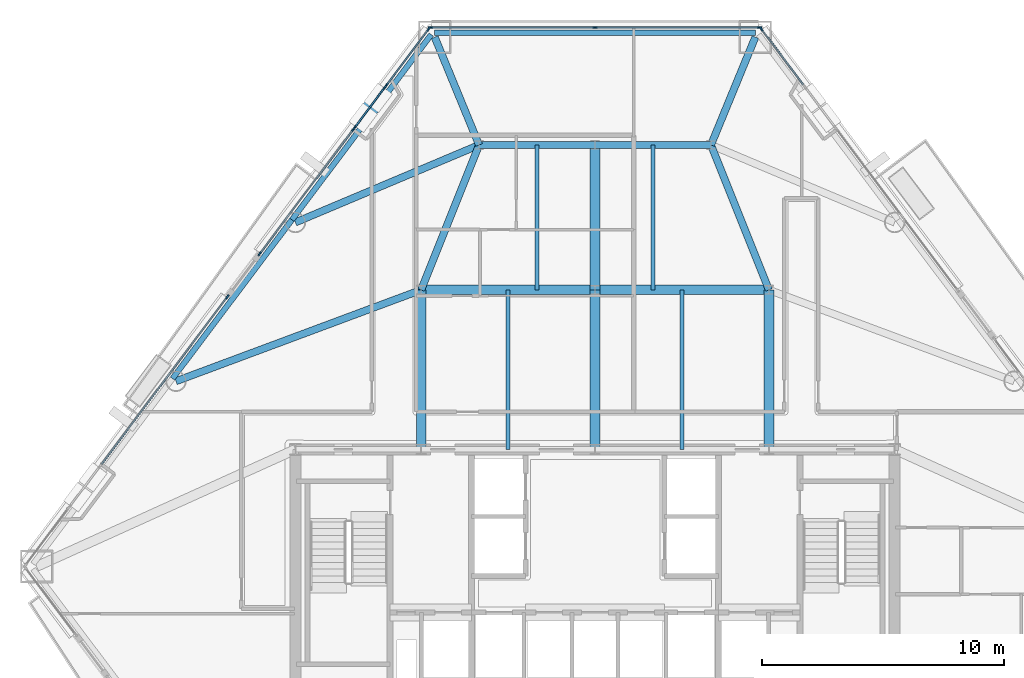
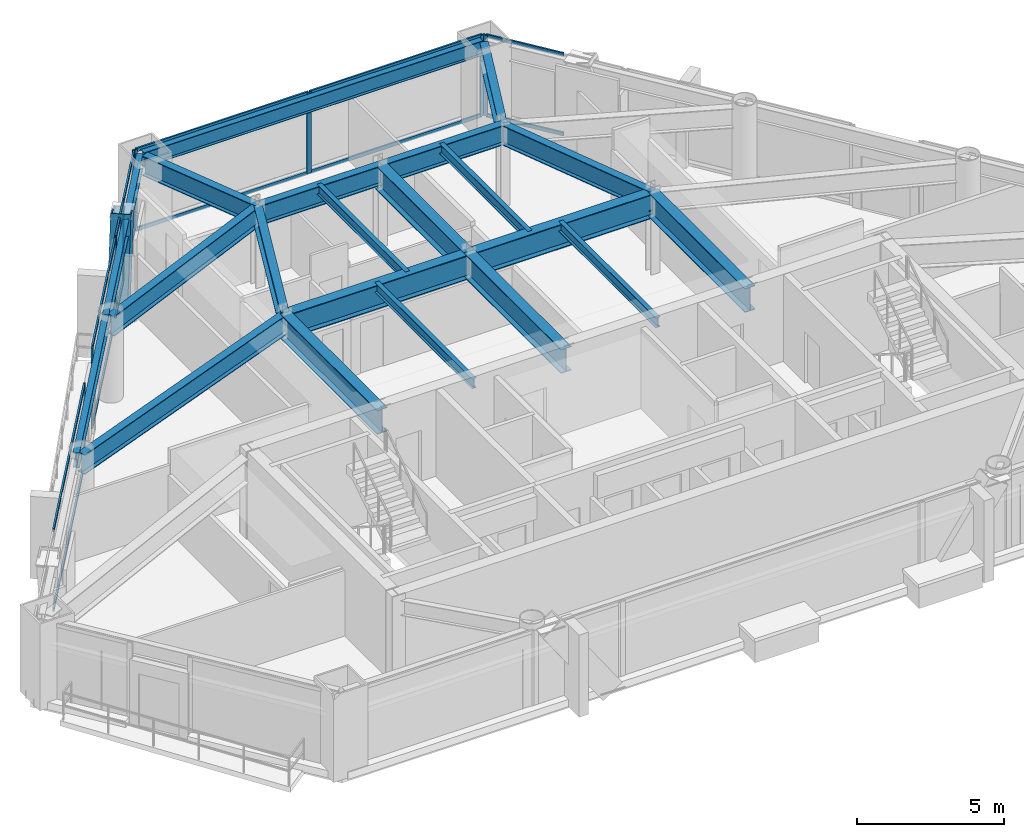
# One storey, part 3 of 10: 26 members, 21 beams, 6 elements without a shape of their own.
"""IFC4 building model written with IfcOpenShell, lengths in metres."""

from ifc_helpers import new_model, si_unit, direction, frame, origin, origin_2d, place, context, subcontext, project, spatial, rectangle, hollow_rectangle, i_section, extrude, material, layer, layer_set, material_profile, profile_set, type_object, element, aggregate, save


model = new_model("IFC4")

# Units and contexts
model_context = context("Model", 3, precision=1e-05, world=origin(), true_north=direction((0.0, 1.0)))
body_context = subcontext(model_context, "Body", "Model", "MODEL_VIEW")
ifc_project = project(units=[si_unit("LENGTHUNIT", "METRE"), si_unit("AREAUNIT", "SQUARE_METRE"), si_unit("VOLUMEUNIT", "CUBIC_METRE"), si_unit("PLANEANGLEUNIT", "RADIAN"), si_unit("MASSUNIT", "GRAM", prefix="KILO")], contexts=[model_context])

# Site, building, storey
site_placement = place(None, origin())
site = spatial("IfcSite", under=ifc_project, at=site_placement, CompositionType="ELEMENT")
building_placement = place(site_placement, origin())
building = spatial("IfcBuilding", under=site, at=building_placement, Name="Talgorran Terracotta Tower", CompositionType="ELEMENT")
storey_placement = place(building_placement, frame((0.0, 0.0, 82.800048828125)))
storey = spatial("IfcBuildingStorey", under=building, at=storey_placement, Name="L21", CompositionType="ELEMENT", Elevation=82.800048828125)

# Beams
ifc_material_1 = material(Name="Steel Grade 350 (350L0)", Category="steel")
ifc_material_profile_1 = material_profile(ifc_material_1, i_section(OverallWidth=0.39990234375, OverallDepth=1.0, WebThickness=0.01611328125, FlangeThickness=0.031005859375, at=origin_2d()), Name="1000WB296")
ifc_profile_set_1 = profile_set([ifc_material_profile_1], Name="Steel Grade 350 (350L0)")
beam_type_1 = type_object("IfcBeamType", Name="BM_1000WB296", PredefinedType="BEAM", material=ifc_profile_set_1)
for number, where, z_axis, x_axis, name in (
    (1, (-7.199951171875, -4.199951171875, 2.849853515625), (0.0, 1.0, 0.0), (-1.0, 0.0, 0.0), "L21 Floor Girder G01"),
    (2, (0.0, -4.199951171875, 2.849853515625), (0.0, 1.0, 0.0), (-1.0, 0.0, 0.0), "L21 Floor Girder G02"),
    (3, (7.199951171875, -4.199951171875, 2.849853515625), (0.0, 1.0, 0.0), (-1.0, 0.0, 0.0), "L21 Floor Girder G03"),
):
    element("IfcBeam", number, at=place(storey_placement, frame(where, z_axis=z_axis, x_axis=x_axis)), inside=storey, type_object=beam_type_1, Name=name, PredefinedType="BEAM", context=body_context, shape_type="SweptSolid", body=[
        extrude(i_section(OverallWidth=0.39990234375, OverallDepth=1.0, WebThickness=0.01611328125, FlangeThickness=0.031005859375, at=origin_2d()), origin(), (0.0, 0.0, 1.0), 6.599853515625),
    ])
for number, where, z_axis, x_axis, name in (
    (4, (-7.199951171875, 2.39990234375, 2.849853515625), (1.0, 0.0, 0.0), (0.0, 1.0, 0.0), "L21 Floor Girder G04"),
    (5, (0.0, 2.39990234375, 2.849853515625), (1.0, 0.0, 0.0), (0.0, 1.0, 0.0), "L21 Floor Girder G05"),
):
    element("IfcBeam", number, at=place(storey_placement, frame(where, z_axis=z_axis, x_axis=x_axis)), inside=storey, type_object=beam_type_1, Name=name, PredefinedType="BEAM", context=body_context, shape_type="SweptSolid", body=[
        extrude(i_section(OverallWidth=0.39990234375, OverallDepth=1.0, WebThickness=0.01611328125, FlangeThickness=0.031005859375, at=origin_2d()), origin(), (0.0, 0.0, 1.0), 7.199951171875),
    ])
beam_1_placement = place(storey_placement, frame((0.0, 2.39990234375, 2.849853515625), z_axis=(0.0, 1.0, 0.0), x_axis=(-1.0, 0.0, 0.0)))
element("IfcBeam", 6, at=beam_1_placement, inside=storey, type_object=beam_type_1, Name="L21 Floor Girder G09", PredefinedType="BEAM", context=body_context, shape_type="SweptSolid", body=[
    extrude(i_section(OverallWidth=0.39990234375, OverallDepth=1.0, WebThickness=0.01611328125, FlangeThickness=0.031005859375, at=origin_2d()), origin(), (0.0, 0.0, 1.0), 6.0),
])
ifc_material_2 = material(Name="Steel S355 (300PLUS)", Category="steel")
ifc_material_profile_2 = material_profile(ifc_material_2, i_section(OverallWidth=0.300048828125, OverallDepth=0.81591796875, WebThickness=0.013916015625, FlangeThickness=0.028076171875, at=origin_2d()), Name="800WB192")
ifc_profile_set_2 = profile_set([ifc_material_profile_2], Name="Steel S355 (300PLUS)")
beam_type_2 = type_object("IfcBeamType", Name="BM_800WB192", PredefinedType="BEAM", material=ifc_profile_set_2)
beam_2_placement = place(storey_placement, frame((-7.199951171875, 2.39990234375, 2.94189453125), z_axis=(-0.93710770278, -0.34904033204, 0.0), x_axis=(0.34904033204, -0.93710770278, 0.0)))
element("IfcBeam", 7, at=beam_2_placement, inside=storey, type_object=beam_type_2, Name="L21 Floor Girder G06", PredefinedType="BEAM", context=body_context, shape_type="SweptSolid", body=[
    extrude(i_section(OverallWidth=0.300048828125, OverallDepth=0.81591796875, WebThickness=0.013916015625, FlangeThickness=0.028076171875, at=origin_2d()), origin(), (0.0, 0.0, 1.0), 10.831787109375),
])
for number, where, z_axis, x_axis, name in (
    (8, (-7.199951171875, 2.39990234375, 2.94189453125), (0.371377648723, 0.928481901832, 0.0), (-0.928481901832, 0.371377648723, 0.0), "L21 Floor Girder G08"),
    (9, (7.199951171875, 2.39990234375, 2.94189453125), (-0.371377648723, 0.928481901832, 0.0), (-0.928481901832, -0.371377648723, 0.0), "L21 Floor Girder G10"),
):
    element("IfcBeam", number, at=place(storey_placement, frame(where, z_axis=z_axis, x_axis=x_axis)), inside=storey, type_object=beam_type_2, Name=name, PredefinedType="BEAM", context=body_context, shape_type="SweptSolid", body=[
        extrude(i_section(OverallWidth=0.300048828125, OverallDepth=0.81591796875, WebThickness=0.013916015625, FlangeThickness=0.028076171875, at=origin_2d()), origin(), (0.0, 0.0, 1.0), 6.462158203125),
    ])
for number, where, z_axis, x_axis, name in (
    (10, (-4.800048828125, 8.39990234375, 2.94189453125), (1.0, 0.0, 0.0), (0.0, 1.0, 0.0), "L21 Floor Girder G11"),
    (11, (0.0, 8.39990234375, 2.94189453125), (1.0, 0.0, 0.0), (0.0, 1.0, 0.0), "L21 Floor Girder G12"),
):
    element("IfcBeam", number, at=place(storey_placement, frame(where, z_axis=z_axis, x_axis=x_axis)), inside=storey, type_object=beam_type_2, Name=name, PredefinedType="BEAM", context=body_context, shape_type="SweptSolid", body=[
        extrude(i_section(OverallWidth=0.300048828125, OverallDepth=0.81591796875, WebThickness=0.013916015625, FlangeThickness=0.028076171875, at=origin_2d()), origin(), (0.0, 0.0, 1.0), 4.800048828125),
    ])
beam_3_placement = place(storey_placement, frame((-4.800048828125, 8.39990234375, 2.94189453125), z_axis=(-0.921492221575, -0.388396814582, 0.0), x_axis=(0.388396814582, -0.921492221575, 0.0)))
element("IfcBeam", 12, at=beam_3_placement, inside=storey, type_object=beam_type_2, Name="L21 Floor Girder G13", PredefinedType="BEAM", context=body_context, shape_type="SweptSolid", body=[
    extrude(i_section(OverallWidth=0.300048828125, OverallDepth=0.81591796875, WebThickness=0.013916015625, FlangeThickness=0.028076171875, at=origin_2d()), origin(), (0.0, 0.0, 1.0), 8.25390625),
])
for number, where, z_axis, x_axis, name in (
    (13, (-4.800048828125, 8.39990234375, 2.94189453125), (-0.380457312245, 0.924798482676, 0.0), (-0.924798482676, -0.380457312245, 0.0), "L21 Floor Girder G15"),
    (14, (4.800048828125, 8.39990234375, 2.94189453125), (0.380457312245, 0.924798482676, 0.0), (-0.924798482676, 0.380457312245, 0.0), "L21 Floor Girder G16"),
):
    element("IfcBeam", number, at=place(storey_placement, frame(where, z_axis=z_axis, x_axis=x_axis)), inside=storey, type_object=beam_type_2, Name=name, PredefinedType="BEAM", context=body_context, shape_type="SweptSolid", body=[
        extrude(i_section(OverallWidth=0.300048828125, OverallDepth=0.81591796875, WebThickness=0.013916015625, FlangeThickness=0.028076171875, at=origin_2d()), origin(), (0.0, 0.0, 1.0), 4.828125),
    ])
ifc_material_profile_3 = material_profile(ifc_material_2, i_section(OverallWidth=0.177734375, OverallDepth=0.406494140625, WebThickness=0.0078125, FlangeThickness=0.0126953125, at=origin_2d()), Name="410UB59.7")
ifc_profile_set_3 = profile_set([ifc_material_profile_3], Name="Steel S355 (300PLUS)")
beam_type_3 = type_object("IfcBeamType", Name="BM_JS_410UB60", PredefinedType="JOIST", material=ifc_profile_set_3)
for number, where, z_axis, x_axis, name in (
    (15, (-3.60009765625, -4.199951171875, 3.146728515625), (0.0, 1.0, 0.0), (-1.0, 0.0, 0.0), "L21 Secondary Joist J01"),
    (16, (3.60009765625, -4.199951171875, 3.146728515625), (0.0, 1.0, 0.0), (-1.0, 0.0, 0.0), "L21 Secondary Joist J02"),
):
    element("IfcBeam", number, at=place(storey_placement, frame(where, z_axis=z_axis, x_axis=x_axis)), inside=storey, type_object=beam_type_3, Name=name, PredefinedType="JOIST", context=body_context, shape_type="SweptSolid", body=[
        extrude(i_section(OverallWidth=0.177734375, OverallDepth=0.406494140625, WebThickness=0.0078125, FlangeThickness=0.0126953125, at=origin_2d()), origin(), (0.0, 0.0, 1.0), 6.599853515625),
    ])
for number, where, z_axis, x_axis, name in (
    (17, (-2.39990234375, 2.39990234375, 3.146728515625), (0.0, 1.0, 0.0), (-1.0, 0.0, 0.0), "L21 Secondary Joist J03"),
    (18, (2.39990234375, 2.39990234375, 3.146728515625), (0.0, 1.0, 0.0), (-1.0, 0.0, 0.0), "L21 Secondary Joist J04"),
):
    element("IfcBeam", number, at=place(storey_placement, frame(where, z_axis=z_axis, x_axis=x_axis)), inside=storey, type_object=beam_type_3, Name=name, PredefinedType="JOIST", context=body_context, shape_type="SweptSolid", body=[
        extrude(i_section(OverallWidth=0.177734375, OverallDepth=0.406494140625, WebThickness=0.0078125, FlangeThickness=0.0126953125, at=origin_2d()), origin(), (0.0, 0.0, 1.0), 6.0),
    ])
ifc_material_profile_4 = material_profile(ifc_material_2, i_section(OverallWidth=0.22900390625, OverallDepth=0.611572265625, WebThickness=0.011962890625, FlangeThickness=0.01953125, at=origin_2d()), Name="610UB125")
ifc_profile_set_4 = profile_set([ifc_material_profile_4], Name="Steel S355 (300PLUS)")
beam_type_4 = type_object("IfcBeamType", Name="BM_SP_610UB125", PredefinedType="SPANDREL", material=ifc_profile_set_4)
beam_4_placement = place(storey_placement, frame((6.636962890625, 13.045166015625, 3.044189453125), z_axis=(-1.0, 0.0, 0.0), x_axis=(0.0, -1.0, 0.0)))
element("IfcBeam", 19, at=beam_4_placement, inside=storey, type_object=beam_type_4, Name="L21 Perimeter Spandrel Beam MC5-MC6", PredefinedType="SPANDREL", context=body_context, shape_type="SweptSolid", body=[
    extrude(i_section(OverallWidth=0.22900390625, OverallDepth=0.611572265625, WebThickness=0.011962890625, FlangeThickness=0.01953125, at=origin_2d()), origin(), (0.0, 0.0, 1.0), 13.27392578125),
])
beam_5_placement = place(storey_placement, frame((-6.781005859375, 12.973388671875, 3.044189453125), z_axis=(-0.601041374216, -0.799217909259, 0.0), x_axis=(0.799217909259, -0.601041374216, 0.0)))
element("IfcBeam", 20, at=beam_5_placement, inside=storey, type_object=beam_type_4, Name="L21 Perimeter Spandrel Beam MC6-FC5", PredefinedType="SPANDREL", context=body_context, shape_type="SweptSolid", body=[
    extrude(i_section(OverallWidth=0.22900390625, OverallDepth=0.611572265625, WebThickness=0.011962890625, FlangeThickness=0.01953125, at=origin_2d()), origin(), (0.0, 0.0, 1.0), 9.597900390625),
])
beam_6_placement = place(storey_placement, frame((-12.5498046875, 5.302490234375, 3.044189453125), z_axis=(-0.601025104516, -0.799230144415, 0.0), x_axis=(0.799230144415, -0.601025104516, 0.0)))
element("IfcBeam", 21, at=beam_6_placement, inside=storey, type_object=beam_type_4, Name="L21 Perimeter Spandrel Beam FC5-FC6", PredefinedType="SPANDREL", context=body_context, shape_type="SweptSolid", body=[
    extrude(i_section(OverallWidth=0.22900390625, OverallDepth=0.611572265625, WebThickness=0.011962890625, FlangeThickness=0.01953125, at=origin_2d()), origin(), (0.0, 0.0, 1.0), 8.226806640625),
])

# Member
ifc_material_profile_5 = material_profile(ifc_material_1, hollow_rectangle(XDim=0.699951171875, YDim=0.89990234375, WallThickness=0.050048828125, at=origin_2d()), Name="WBOX900X700X50")
ifc_profile_set_5 = profile_set([ifc_material_profile_5], Name="Steel Grade 350 (350L0)")
member_type_1 = type_object("IfcMemberType", Name="MB_MEGA_900", PredefinedType="BRACE", material=ifc_profile_set_5)
member_1_placement = place(storey_placement, frame((-9.59765625, 9.527099609375, -0.025146484375), z_axis=(0.174459396222, 0.231971217663, 0.956949984715), x_axis=(-0.79920388083, 0.601060027674, 0.0)))
element("IfcMember", 22, at=member_1_placement, inside=storey, type_object=member_type_1, Name="L21 Exterior Face Mega-Brace MB-1 (NWU)", PredefinedType="BRACE", context=body_context, shape_type="SweptSolid", body=[
    extrude(hollow_rectangle(XDim=0.699951171875, YDim=0.89990234375, WallThickness=0.050048828125, at=origin_2d()), origin(), (0.0, 0.0, 1.0), 3.55322265625),
])

# Curtain wall, member
ifc_material_3 = material(Name="Unitised Low-E Double Glazing", Category="glass")
ifc_layer = layer(ifc_material_3, 0.199951171875, Name="CW_SYS2_RES_LOW")
ifc_layer_set = layer_set([ifc_layer], Name="Unitised Low-E Double Glazing")
curtain_wall_type = type_object("IfcCurtainWallType", Name="CW_SYS2_RES_LOW", PredefinedType="NOTDEFINED", material=ifc_layer_set)
curtain_wall_1_placement = place(storey_placement, origin())
curtain_wall_1 = element("IfcCurtainWall", 23, at=curtain_wall_1_placement, inside=storey, type_object=curtain_wall_type, Name="CW-L21-F41C", PredefinedType="NOTDEFINED")
ifc_material_4 = material(Name="Architectural Aluminium 6063-T6", Category="aluminium")
ifc_material_profile_6 = material_profile(ifc_material_4, rectangle(XDim=0.06494140625, YDim=0.18505859375, at=origin_2d()), Name="CWM65X185")
ifc_profile_set_6 = profile_set([ifc_material_profile_6], Name="Architectural Aluminium 6063-T6")
member_type_2 = type_object("IfcMemberType", Name="MUL_65X185", PredefinedType="MULLION", material=ifc_profile_set_6)
member_2_placement = place(storey_placement, frame((6.880126953125, 13.20703125, 0.0), z_axis=(0.0, 0.0, 1.0), x_axis=(-0.799212675264, -0.601048333912, 0.0)))
member_2 = element("IfcMember", 24, at=member_2_placement, type_object=member_type_2, Name="CW-L21-41C mullion 2", PredefinedType="MULLION", context=body_context, shape_type="SweptSolid", body=[
    extrude(rectangle(XDim=0.06494140625, YDim=0.18505859375, at=origin_2d()), origin(), (0.0, 0.0, 1.0), 3.349853515625),
])

# Curtain wall, members
curtain_wall_2_placement = place(storey_placement, origin())
curtain_wall_2 = element("IfcCurtainWall", 25, at=curtain_wall_2_placement, inside=storey, type_object=curtain_wall_type, Name="CW-L21-F4", PredefinedType="NOTDEFINED")
member_3_placement = place(storey_placement, frame((6.80419921875, 13.26513671875, 0.0), z_axis=(0.0, 0.0, 1.0), x_axis=(0.0, -1.0, 0.0)))
member_3 = element("IfcMember", 26, at=member_3_placement, type_object=member_type_2, Name="CW-L21-4 mullion 1", PredefinedType="MULLION", context=body_context, shape_type="SweptSolid", body=[
    extrude(rectangle(XDim=0.06494140625, YDim=0.18505859375, at=origin_2d()), origin(), (0.0, 0.0, 1.0), 3.349853515625),
])
member_4_placement = place(storey_placement, frame((0.0, 13.26513671875, 0.0), z_axis=(0.0, 0.0, 1.0), x_axis=(0.0, -1.0, 0.0)))
member_4 = element("IfcMember", 27, at=member_4_placement, type_object=member_type_2, Name="CW-L21-4 mullion 2", PredefinedType="MULLION", context=body_context, shape_type="SweptSolid", body=[
    extrude(rectangle(XDim=0.06494140625, YDim=0.18505859375, at=origin_2d()), origin(), (0.0, 0.0, 1.0), 3.349853515625),
])
member_5_placement = place(storey_placement, frame((-6.80419921875, 13.26513671875, 0.0), z_axis=(0.0, 0.0, 1.0), x_axis=(0.0, -1.0, 0.0)))
member_5 = element("IfcMember", 28, at=member_5_placement, type_object=member_type_2, Name="CW-L21-4 mullion 3", PredefinedType="MULLION", context=body_context, shape_type="SweptSolid", body=[
    extrude(rectangle(XDim=0.06494140625, YDim=0.18505859375, at=origin_2d()), origin(), (0.0, 0.0, 1.0), 3.349853515625),
])

curtain_wall_3_placement = place(storey_placement, origin())
curtain_wall_3 = element("IfcCurtainWall", 29, at=curtain_wall_3_placement, inside=storey, type_object=curtain_wall_type, Name="CW-L21-F60", PredefinedType="NOTDEFINED")
member_6_placement = place(storey_placement, frame((-6.880126953125, 13.20703125, 0.0), z_axis=(0.0, 0.0, 1.0), x_axis=(0.799212675264, -0.601048333912, 0.0)))
member_6 = element("IfcMember", 30, at=member_6_placement, type_object=member_type_2, Name="CW-L21-60 mullion 1", PredefinedType="MULLION", context=body_context, shape_type="SweptSolid", body=[
    extrude(rectangle(XDim=0.06494140625, YDim=0.18505859375, at=origin_2d()), origin(), (0.0, 0.0, 1.0), 3.349853515625),
])
member_7_placement = place(storey_placement, frame((-8.63818359375, 10.869384765625, 0.0), z_axis=(0.0, 0.0, 1.0), x_axis=(0.799212675264, -0.601048333912, 0.0)))
member_7 = element("IfcMember", 31, at=member_7_placement, type_object=member_type_2, Name="CW-L21-60 mullion 2", PredefinedType="MULLION", context=body_context, shape_type="SweptSolid", body=[
    extrude(rectangle(XDim=0.06494140625, YDim=0.18505859375, at=origin_2d()), origin(), (0.0, 0.0, 1.0), 3.349853515625),
])

curtain_wall_4_placement = place(storey_placement, origin())
curtain_wall_4 = element("IfcCurtainWall", 32, at=curtain_wall_4_placement, inside=storey, type_object=curtain_wall_type, Name="CW-L21-F60B", PredefinedType="NOTDEFINED")
member_8_placement = place(storey_placement, frame((-8.683349609375, 10.8095703125, 0.0), z_axis=(0.0, 0.0, 1.0), x_axis=(0.799191057138, -0.601077078411, 0.0)))
member_8 = element("IfcMember", 33, at=member_8_placement, type_object=member_type_2, Name="CW-L21-60B mullion 1", PredefinedType="MULLION", context=body_context, shape_type="SweptSolid", body=[
    extrude(rectangle(XDim=0.06494140625, YDim=0.18505859375, at=origin_2d()), origin(), (0.0, 0.0, 1.0), 3.349853515625),
])
member_9_placement = place(storey_placement, frame((-9.9560546875, 9.1171875, 0.0), z_axis=(0.0, 0.0, 1.0), x_axis=(0.799191057138, -0.601077078411, 0.0)))
member_9 = element("IfcMember", 34, at=member_9_placement, type_object=member_type_2, Name="CW-L21-60B mullion 2", PredefinedType="MULLION", context=body_context, shape_type="SweptSolid", body=[
    extrude(rectangle(XDim=0.06494140625, YDim=0.18505859375, at=origin_2d()), origin(), (0.0, 0.0, 1.0), 3.349853515625),
])

curtain_wall_5_placement = place(storey_placement, origin())
curtain_wall_5 = element("IfcCurtainWall", 35, at=curtain_wall_5_placement, inside=storey, type_object=curtain_wall_type, Name="CW-L21-F60C", PredefinedType="NOTDEFINED")
member_10_placement = place(storey_placement, frame((-10.001220703125, 9.05712890625, 0.0), z_axis=(0.0, 0.0, 1.0), x_axis=(0.799214061876, -0.601046490132, 0.0)))
member_10 = element("IfcMember", 36, at=member_10_placement, type_object=member_type_2, Name="CW-L21-60C mullion 1", PredefinedType="MULLION", context=body_context, shape_type="SweptSolid", body=[
    extrude(rectangle(XDim=0.06494140625, YDim=0.18505859375, at=origin_2d()), origin(), (0.0, 0.0, 1.0), 3.349853515625),
])
member_11_placement = place(storey_placement, frame((-13.88427734375, 3.89404296875, 0.0), z_axis=(0.0, 0.0, 1.0), x_axis=(0.799214061876, -0.601046490132, 0.0)))
member_11 = element("IfcMember", 37, at=member_11_placement, type_object=member_type_2, Name="CW-L21-60C mullion 2", PredefinedType="MULLION", context=body_context, shape_type="SweptSolid", body=[
    extrude(rectangle(XDim=0.06494140625, YDim=0.18505859375, at=origin_2d()), origin(), (0.0, 0.0, 1.0), 3.349853515625),
])

# Curtain wall, member
curtain_wall_6_placement = place(storey_placement, origin())
curtain_wall_6 = element("IfcCurtainWall", 38, at=curtain_wall_6_placement, inside=storey, type_object=curtain_wall_type, Name="CW-L21-F61", PredefinedType="NOTDEFINED")
member_12_placement = place(storey_placement, frame((-15.221435546875, 2.11572265625, 0.0), z_axis=(0.0, 0.0, 1.0), x_axis=(0.799217391959, -0.601042062081, 0.0)))
member_12 = element("IfcMember", 39, at=member_12_placement, type_object=member_type_2, Name="CW-L21-61 mullion 1", PredefinedType="MULLION", context=body_context, shape_type="SweptSolid", body=[
    extrude(rectangle(XDim=0.06494140625, YDim=0.18505859375, at=origin_2d()), origin(), (0.0, 0.0, 1.0), 3.349853515625),
])

# Member
ifc_material_profile_7 = material_profile(ifc_material_4, rectangle(XDim=0.06494140625, YDim=0.14990234375, at=origin_2d()), Name="CWT65X150")
ifc_profile_set_7 = profile_set([ifc_material_profile_7], Name="Architectural Aluminium 6063-T6")
member_type_3 = type_object("IfcMemberType", Name="TRN_65X150", PredefinedType="USERDEFINED", material=ifc_profile_set_7)
member_13_placement = place(storey_placement, frame((8.61865234375, 10.8955078125, 0.032470703125), z_axis=(-0.601064840664, 0.799200261085, 0.0), x_axis=(-0.799200261085, -0.601064840664, 0.0)))
member_13 = element("IfcMember", 40, at=member_13_placement, type_object=member_type_3, Name="CW-L21-41C transom 1.1", ObjectType="TRANSOM", PredefinedType="USERDEFINED", context=body_context, shape_type="SweptSolid", body=[
    extrude(rectangle(XDim=0.06494140625, YDim=0.14990234375, at=origin_2d()), origin(), (0.0, 0.0, 1.0), 2.85986328125),
])

member_14_placement = place(storey_placement, frame((8.61865234375, 10.8955078125, 3.3173828125), z_axis=(-0.601064840664, 0.799200261085, 0.0), x_axis=(-0.799200261085, -0.601064840664, 0.0)))
member_14 = element("IfcMember", 41, at=member_14_placement, type_object=member_type_3, Name="CW-L21-41C transom 1.2", ObjectType="TRANSOM", PredefinedType="USERDEFINED", context=body_context, shape_type="SweptSolid", body=[
    extrude(rectangle(XDim=0.06494140625, YDim=0.14990234375, at=origin_2d()), origin(), (0.0, 0.0, 1.0), 2.85986328125),
])

aggregate(curtain_wall_1, [member_2, member_13, member_14])

member_15_placement = place(storey_placement, frame((6.771728515625, 13.26513671875, 0.032470703125), z_axis=(-1.0, 0.0, 0.0), x_axis=(0.0, -1.0, 0.0)))
member_15 = element("IfcMember", 42, at=member_15_placement, type_object=member_type_3, Name="CW-L21-4 transom 1.1", ObjectType="TRANSOM", PredefinedType="USERDEFINED", context=body_context, shape_type="SweptSolid", body=[
    extrude(rectangle(XDim=0.06494140625, YDim=0.14990234375, at=origin_2d()), origin(), (0.0, 0.0, 1.0), 6.7392578125),
])

member_16_placement = place(storey_placement, frame((6.771728515625, 13.26513671875, 3.3173828125), z_axis=(-1.0, 0.0, 0.0), x_axis=(0.0, -1.0, 0.0)))
member_16 = element("IfcMember", 43, at=member_16_placement, type_object=member_type_3, Name="CW-L21-4 transom 1.2", ObjectType="TRANSOM", PredefinedType="USERDEFINED", context=body_context, shape_type="SweptSolid", body=[
    extrude(rectangle(XDim=0.06494140625, YDim=0.14990234375, at=origin_2d()), origin(), (0.0, 0.0, 1.0), 6.7392578125),
])

member_17_placement = place(storey_placement, frame((-0.032470703125, 13.26513671875, 0.032470703125), z_axis=(-1.0, 0.0, 0.0), x_axis=(0.0, -1.0, 0.0)))
member_17 = element("IfcMember", 44, at=member_17_placement, type_object=member_type_3, Name="CW-L21-4 transom 2.1", ObjectType="TRANSOM", PredefinedType="USERDEFINED", context=body_context, shape_type="SweptSolid", body=[
    extrude(rectangle(XDim=0.06494140625, YDim=0.14990234375, at=origin_2d()), origin(), (0.0, 0.0, 1.0), 6.7392578125),
])

member_18_placement = place(storey_placement, frame((-0.032470703125, 13.26513671875, 3.3173828125), z_axis=(-1.0, 0.0, 0.0), x_axis=(0.0, -1.0, 0.0)))
member_18 = element("IfcMember", 45, at=member_18_placement, type_object=member_type_3, Name="CW-L21-4 transom 2.2", ObjectType="TRANSOM", PredefinedType="USERDEFINED", context=body_context, shape_type="SweptSolid", body=[
    extrude(rectangle(XDim=0.06494140625, YDim=0.14990234375, at=origin_2d()), origin(), (0.0, 0.0, 1.0), 6.7392578125),
])

aggregate(curtain_wall_2, [member_3, member_4, member_5, member_15, member_16, member_17, member_18])

member_19_placement = place(storey_placement, frame((-6.899658203125, 13.18115234375, 0.032470703125), z_axis=(-0.601064840664, -0.799200261085, 0.0), x_axis=(0.799200261085, -0.601064840664, 0.0)))
member_19 = element("IfcMember", 46, at=member_19_placement, type_object=member_type_3, Name="CW-L21-60 transom 1.1", ObjectType="TRANSOM", PredefinedType="USERDEFINED", context=body_context, shape_type="SweptSolid", body=[
    extrude(rectangle(XDim=0.06494140625, YDim=0.14990234375, at=origin_2d()), origin(), (0.0, 0.0, 1.0), 2.85986328125),
])

member_20_placement = place(storey_placement, frame((-6.899658203125, 13.18115234375, 3.3173828125), z_axis=(-0.601064840664, -0.799200261085, 0.0), x_axis=(0.799200261085, -0.601064840664, 0.0)))
member_20 = element("IfcMember", 47, at=member_20_placement, type_object=member_type_3, Name="CW-L21-60 transom 1.2", ObjectType="TRANSOM", PredefinedType="USERDEFINED", context=body_context, shape_type="SweptSolid", body=[
    extrude(rectangle(XDim=0.06494140625, YDim=0.14990234375, at=origin_2d()), origin(), (0.0, 0.0, 1.0), 2.85986328125),
])

aggregate(curtain_wall_3, [member_6, member_7, member_19, member_20])

member_21_placement = place(storey_placement, frame((-8.702880859375, 10.783447265625, 0.032470703125), z_axis=(-0.601046232264, -0.799214255805, 0.0), x_axis=(0.799214255805, -0.601046232264, 0.0)))
member_21 = element("IfcMember", 48, at=member_21_placement, type_object=member_type_3, Name="CW-L21-60B transom 1.1", ObjectType="TRANSOM", PredefinedType="USERDEFINED", context=body_context, shape_type="SweptSolid", body=[
    extrude(rectangle(XDim=0.06494140625, YDim=0.14990234375, at=origin_2d()), origin(), (0.0, 0.0, 1.0), 2.052490234375),
])

member_22_placement = place(storey_placement, frame((-8.702880859375, 10.783447265625, 3.3173828125), z_axis=(-0.601046232264, -0.799214255805, 0.0), x_axis=(0.799214255805, -0.601046232264, 0.0)))
member_22 = element("IfcMember", 49, at=member_22_placement, type_object=member_type_3, Name="CW-L21-60B transom 1.2", ObjectType="TRANSOM", PredefinedType="USERDEFINED", context=body_context, shape_type="SweptSolid", body=[
    extrude(rectangle(XDim=0.06494140625, YDim=0.14990234375, at=origin_2d()), origin(), (0.0, 0.0, 1.0), 2.052490234375),
])

aggregate(curtain_wall_4, [member_8, member_9, member_21, member_22])

member_23_placement = place(storey_placement, frame((-10.020751953125, 9.03125, 0.032470703125), z_axis=(-0.601068369751, -0.799197606906, 0.0), x_axis=(0.799197606906, -0.601068369751, 0.0)))
member_23 = element("IfcMember", 50, at=member_23_placement, type_object=member_type_3, Name="CW-L21-60C transom 1.1", ObjectType="TRANSOM", PredefinedType="USERDEFINED", context=body_context, shape_type="SweptSolid", body=[
    extrude(rectangle(XDim=0.06494140625, YDim=0.14990234375, at=origin_2d()), origin(), (0.0, 0.0, 1.0), 6.395263671875),
])

member_24_placement = place(storey_placement, frame((-10.020751953125, 9.03125, 3.3173828125), z_axis=(-0.601068369751, -0.799197606906, 0.0), x_axis=(0.799197606906, -0.601068369751, 0.0)))
member_24 = element("IfcMember", 51, at=member_24_placement, type_object=member_type_3, Name="CW-L21-60C transom 1.2", ObjectType="TRANSOM", PredefinedType="USERDEFINED", context=body_context, shape_type="SweptSolid", body=[
    extrude(rectangle(XDim=0.06494140625, YDim=0.14990234375, at=origin_2d()), origin(), (0.0, 0.0, 1.0), 6.395263671875),
])

aggregate(curtain_wall_5, [member_10, member_11, member_23, member_24])

member_25_placement = place(storey_placement, frame((-15.240966796875, 2.08984375, 0.032470703125), z_axis=(-0.601053740948, -0.79920860887, 0.0), x_axis=(0.79920860887, -0.601053740948, 0.0)))
member_25 = element("IfcMember", 52, at=member_25_placement, type_object=member_type_3, Name="CW-L21-61 transom 1.1", ObjectType="TRANSOM", PredefinedType="USERDEFINED", context=body_context, shape_type="SweptSolid", body=[
    extrude(rectangle(XDim=0.06494140625, YDim=0.14990234375, at=origin_2d()), origin(), (0.0, 0.0, 1.0), 8.633056640625),
])

member_26_placement = place(storey_placement, frame((-15.240966796875, 2.08984375, 3.3173828125), z_axis=(-0.601053740948, -0.79920860887, 0.0), x_axis=(0.79920860887, -0.601053740948, 0.0)))
member_26 = element("IfcMember", 53, at=member_26_placement, type_object=member_type_3, Name="CW-L21-61 transom 1.2", ObjectType="TRANSOM", PredefinedType="USERDEFINED", context=body_context, shape_type="SweptSolid", body=[
    extrude(rectangle(XDim=0.06494140625, YDim=0.14990234375, at=origin_2d()), origin(), (0.0, 0.0, 1.0), 8.633056640625),
])

aggregate(curtain_wall_6, [member_12, member_25, member_26])

save(model, "model.ifc")
